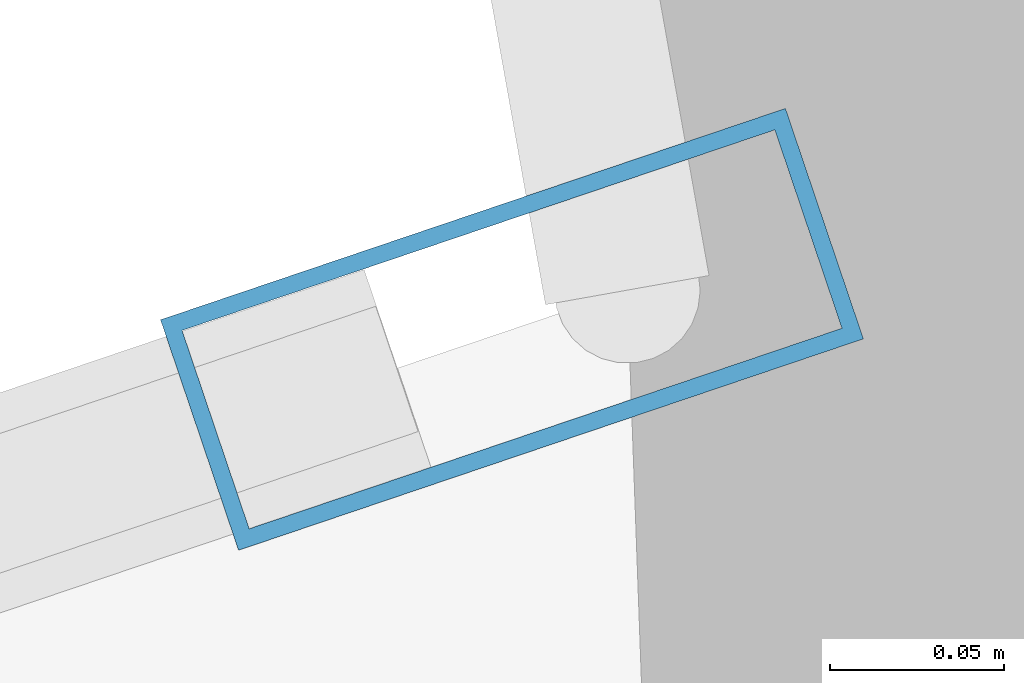
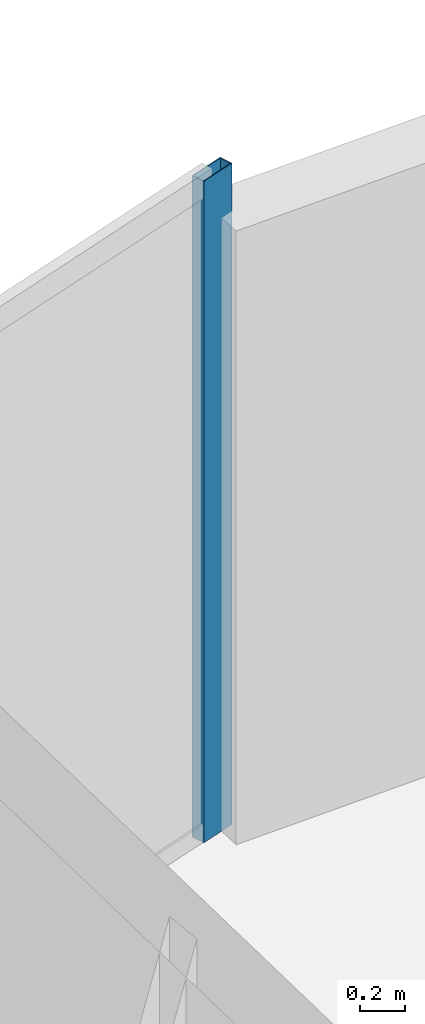
# One storey, part 14 of 23: 1 member, 1 element without a shape of its own.
"""IFC4 building model written with IfcOpenShell, lengths in metres."""

import ifcopenshell
import ifcopenshell.guid

model = None  # the IFC model being written
_history = None  # IfcOwnerHistory: only IFC2X3 demands one
_inside = {}  # id of a spatial element -> (the spatial element, [elements in it])
_under = {}  # id of a project, library or spatial element -> (it, [spatial elements below it])
_declared = {}  # id of a project -> (the project, [libraries it declares])
_typed = {}  # id of a type object -> (the type object, [elements of that type])
_made_of = {}  # id of a material, layer set ... -> (it, [elements and type objects made of it])


def new_model(schema):
    """Start an empty IFC model of exactly this schema.

    Asked for "IFC4X3", IfcOpenShell would pick the latest addendum, in which some entities
    have other attributes; the version numbers below select the first issue.
    IFC2X3 requires an IfcOwnerHistory on every rooted entity: one is made here for all.
    """
    global model, _history
    if schema == "IFC4X3":
        model = ifcopenshell.file(schema_version=(4, 3, 0, 0))
    else:
        model = ifcopenshell.file(schema=schema)
    _inside.clear()
    _under.clear()
    _declared.clear()
    _typed.clear()
    _made_of.clear()
    _history = None
    if model.schema == "IFC2X3":
        org = make("IfcOrganization", Name="unknown")
        user = make(
            "IfcPersonAndOrganization",
            ThePerson=make("IfcPerson", FamilyName="unknown"),
            TheOrganization=org,
        )
        app = make(
            "IfcApplication",
            ApplicationDeveloper=org,
            Version="unknown",
            ApplicationFullName="unknown",
            ApplicationIdentifier="unknown",
        )
        _history = make(
            "IfcOwnerHistory",
            OwningUser=user,
            OwningApplication=app,
            ChangeAction="ADDED",
            CreationDate=0,
        )
    return model


def make(cls, **values):
    """One entity of the class cls with the attributes given. An attribute that is None is left unset."""
    return model.create_entity(
        cls, **{name: value for name, value in values.items() if value is not None}
    )


def rooted(cls, **values):
    """An entity with a GlobalId (a new one), such as an element, a storey or a relation."""
    return make(cls, GlobalId=ifcopenshell.guid.new(), OwnerHistory=_history, **values)


def si_unit(unit_type, name, prefix=None):
    """IfcSIUnit, for example si_unit("LENGTHUNIT", "METRE", prefix="MILLI")."""
    return make("IfcSIUnit", UnitType=unit_type, Prefix=prefix, Name=name)


def assignment(units):
    """IfcUnitAssignment: the units of a project."""
    return None if units is None else make("IfcUnitAssignment", Units=units)


def point(xyz):
    """IfcCartesianPoint."""
    return None if xyz is None else make("IfcCartesianPoint", Coordinates=xyz)


def direction(xyz):
    """IfcDirection."""
    return None if xyz is None else make("IfcDirection", DirectionRatios=xyz)


def frame(location, z_axis=None, x_axis=None):
    """IfcAxis2Placement3D, a coordinate frame: its origin and axes. An axis left out is left unset."""
    return make(
        "IfcAxis2Placement3D",
        Location=point(location),
        Axis=direction(z_axis),
        RefDirection=direction(x_axis),
    )


def frame_2d(location, x_axis=None):
    """IfcAxis2Placement2D, a coordinate frame in the plane: its origin and x axis."""
    return make(
        "IfcAxis2Placement2D", Location=point(location), RefDirection=direction(x_axis)
    )


def origin():
    """The frame at (0, 0, 0) with its axes left unset."""
    return frame((0.0, 0.0, 0.0))


def origin_2d():
    """The frame at (0, 0) in the plane with its x axis left unset."""
    return frame_2d((0.0, 0.0))


def place(relative_to, where):
    """IfcLocalPlacement: puts the frame where relative to a parent placement (None: the world)."""
    return make(
        "IfcLocalPlacement", PlacementRelTo=relative_to, RelativePlacement=where
    )


def context(
    kind, dimensions, precision=None, world=None, true_north=None, identifier=None
):
    """IfcGeometricRepresentationContext, for example the 3D "Model" context."""
    return make(
        "IfcGeometricRepresentationContext",
        ContextIdentifier=identifier,
        ContextType=kind,
        CoordinateSpaceDimension=dimensions,
        Precision=precision,
        WorldCoordinateSystem=world,
        TrueNorth=true_north,
    )


def subcontext(parent, identifier, kind, view, scale=None):
    """IfcGeometricRepresentationSubContext, for example "Body" below "Model"."""
    return make(
        "IfcGeometricRepresentationSubContext",
        ContextIdentifier=identifier,
        ContextType=kind,
        ParentContext=parent,
        TargetScale=scale,
        TargetView=view,
    )


def project(units=None, contexts=None):
    """IfcProject with its units and contexts."""
    return rooted(
        "IfcProject",
        Name="project",
        RepresentationContexts=contexts,
        UnitsInContext=assignment(units),
    )


def spatial(cls, under=None, at=None, **own):
    """A site, building, storey or space (cls), placed at a placement, below another one or the project."""
    s = rooted(cls, ObjectPlacement=at, **own)
    if under is not None:
        _under.setdefault(under.id(), (under, []))[1].append(s)
    return s


def profile(cls, at=None, kind="AREA", **sizes):
    """A parametric profile (cls). Its sizes go by their IFC names, for example OverallWidth=200.0."""
    return make(cls, ProfileType=kind, Position=at, **sizes)


def hollow_rectangle(**sizes):
    """IfcRectangleHollowProfileDef."""
    return profile("IfcRectangleHollowProfileDef", **sizes)


def extrude(swept, where, along, depth):
    """IfcExtrudedAreaSolid: the profile swept, set in the frame where, extruded along a direction by depth."""
    return make(
        "IfcExtrudedAreaSolid",
        SweptArea=swept,
        Position=where,
        ExtrudedDirection=direction(along),
        Depth=depth,
    )


def shape(context_of_items, identifier, shape_type, items):
    """IfcShapeRepresentation: the items that make up one representation, for example the "Body"."""
    return make(
        "IfcShapeRepresentation",
        ContextOfItems=context_of_items,
        RepresentationIdentifier=identifier,
        RepresentationType=shape_type,
        Items=items,
    )


def source(mapping_origin, context_of_items, identifier, shape_type, items):
    """IfcRepresentationMap: a shape defined once, which mapped items show again and again."""
    return make(
        "IfcRepresentationMap",
        MappingOrigin=mapping_origin,
        MappedRepresentation=shape(context_of_items, identifier, shape_type, items),
    )


def transform(
    local_origin,
    x_axis=None,
    y_axis=None,
    z_axis=None,
    scale=None,
    scale2=None,
    scale3=None,
    uniform=True,
):
    """IfcCartesianTransformationOperator3D, or its non-uniform kind. x_axis, y_axis, z_axis: its Axis1, 2, 3."""
    if uniform:
        return make(
            "IfcCartesianTransformationOperator3D",
            Axis1=direction(x_axis),
            Axis2=direction(y_axis),
            LocalOrigin=point(local_origin),
            Scale=scale,
            Axis3=direction(z_axis),
        )
    return make(
        "IfcCartesianTransformationOperator3DnonUniform",
        Axis1=direction(x_axis),
        Axis2=direction(y_axis),
        LocalOrigin=point(local_origin),
        Scale=scale,
        Axis3=direction(z_axis),
        Scale2=scale2,
        Scale3=scale3,
    )


def mapped(mapping_source, mapping_target):
    """IfcMappedItem: shows the shape of a source again, moved by a transform."""
    return make(
        "IfcMappedItem", MappingSource=mapping_source, MappingTarget=mapping_target
    )


def material(Name=None, Category=None):
    """IfcMaterial."""
    return make("IfcMaterial", Name=Name, Category=Category)


def layer(
    of_material, thickness, ventilated=None, Name=None, Category=None, Priority=None
):
    """IfcMaterialLayer: one layer of a wall or slab, of a material (None: an air gap)."""
    return make(
        "IfcMaterialLayer",
        Material=of_material,
        LayerThickness=thickness,
        IsVentilated=ventilated,
        Name=Name,
        Category=Category,
        Priority=Priority,
    )


def layer_set(layers, Name=None):
    """IfcMaterialLayerSet."""
    return make("IfcMaterialLayerSet", MaterialLayers=layers, LayerSetName=Name)


def material_profile(
    of_material, cross_section, Name=None, Category=None, Priority=None
):
    """IfcMaterialProfile: a cross section and its material."""
    return make(
        "IfcMaterialProfile",
        Name=Name,
        Material=of_material,
        Profile=cross_section,
        Priority=Priority,
        Category=Category,
    )


def profile_set(profiles, Name=None, composite=None):
    """IfcMaterialProfileSet."""
    return make(
        "IfcMaterialProfileSet",
        Name=Name,
        MaterialProfiles=profiles,
        CompositeProfile=composite,
    )


def made_of(thing, what):
    """Note that an element or type object is made of a material, layer set ...; save() writes the relation."""
    if what is not None:
        _made_of.setdefault(what.id(), (what, []))[1].append(thing)
    return thing


def type_object(cls, material=None, **own):
    """A type object (cls), such as IfcWallType, which elements share."""
    return made_of(rooted(cls, **own), material)


def element(
    cls,
    number,
    at=None,
    inside=None,
    cuts=None,
    type_object=None,
    material=None,
    context=None,
    identifier="Body",
    shape_type=None,
    held_by="IfcProductDefinitionShape",
    body=None,
    shapes=None,
    **own,
):
    """One element of the class cls, such as IfcWall. Its Tag is "e" and its number.

    at: its placement. inside: the storey or other place that contains it. cuts: it is an
    opening in that element (IfcRelVoidsElement). A single representation is given by context,
    identifier, shape_type and body (its items); several are given by shapes. held_by: the class
    of the entity that holds the representations. save() writes the other relations.
    """
    e = rooted(cls, Tag="e%d" % number, ObjectPlacement=at, **own)
    if body is not None:
        shapes = [shape(context, identifier, shape_type, body)]
    if shapes is not None:
        e.Representation = make(held_by, Representations=shapes)
    if inside is not None:
        _inside.setdefault(inside.id(), (inside, []))[1].append(e)
    if cuts is not None:
        rooted(
            "IfcRelVoidsElement", RelatingBuildingElement=cuts, RelatedOpeningElement=e
        )
    if type_object is not None:
        _typed.setdefault(type_object.id(), (type_object, []))[1].append(e)
    return made_of(e, material)


def aggregate(whole, parts):
    """IfcRelAggregates: a whole, such as a stair, and the parts it consists of."""
    return rooted("IfcRelAggregates", RelatingObject=whole, RelatedObjects=parts)


def save(model, path):
    """Write the relations noted so far, then the file.

    IfcRelAggregates (storeys below a building ...), IfcRelContainedInSpatialStructure (elements
    in a storey), IfcRelDefinesByType, IfcRelAssociatesMaterial and IfcRelDeclares: one each for
    every whole, place, type object, material and project.
    """
    for whole, parts in _under.values():
        aggregate(whole, parts)
    for where, things in _inside.values():
        rooted(
            "IfcRelContainedInSpatialStructure",
            RelatedElements=things,
            RelatingStructure=where,
        )
    for kind, things in _typed.values():
        rooted("IfcRelDefinesByType", RelatedObjects=things, RelatingType=kind)
    for what, things in _made_of.values():
        rooted("IfcRelAssociatesMaterial", RelatedObjects=things, RelatingMaterial=what)
    for by, libraries in _declared.values():
        rooted("IfcRelDeclares", RelatingContext=by, RelatedDefinitions=libraries)
    model.write(path)


model = new_model("IFC4")

# Units and contexts
model_context = context("Model", 3, precision=1e-05, world=origin(), true_north=direction((0.0, 1.0)))
body_context = subcontext(model_context, "Body", "Model", "MODEL_VIEW")
ifc_project = project(units=[si_unit("LENGTHUNIT", "METRE"), si_unit("AREAUNIT", "SQUARE_METRE"), si_unit("VOLUMEUNIT", "CUBIC_METRE"), si_unit("PLANEANGLEUNIT", "RADIAN"), si_unit("MASSUNIT", "GRAM", prefix="KILO")], contexts=[model_context])

# Site, building, storey
site_placement = place(None, origin())
site = spatial("IfcSite", under=ifc_project, at=site_placement, CompositionType="ELEMENT")
building_placement = place(site_placement, origin())
building = spatial("IfcBuilding", under=site, at=building_placement, Name="Solvirekh Grand Hotel", CompositionType="ELEMENT")
storey_placement = place(building_placement, frame((0.0, 0.0, 75.199951171875)))
storey = spatial("IfcBuildingStorey", under=building, at=storey_placement, Name="L18", CompositionType="ELEMENT", Elevation=75.199951171875)

# Curtain wall, member
ifc_material = material(Name="Anodized Bronze Aluminium 6063-T6", Category="aluminium")
ifc_layer = layer(ifc_material, 0.18994140625)
ifc_layer_set = layer_set([ifc_layer], Name="Anodized Bronze Aluminium 6063-T6")
curtain_wall_type = type_object("IfcCurtainWallType", Name="CW_Sys2_LowZoneFlushBronzeCW", PredefinedType="NOTDEFINED", material=ifc_layer_set)
curtain_wall_placement = place(storey_placement, origin())
curtain_wall = element("IfcCurtainWall", 1, at=curtain_wall_placement, inside=storey, type_object=curtain_wall_type, Name="L18 unitised bronze-glass curtain wall CW-L18-C08", PredefinedType="NOTDEFINED")
ifc_material_profile = material_profile(ifc_material, hollow_rectangle(XDim=0.070068359375, YDim=0.18994140625, WallThickness=0.0048828125, at=origin_2d()), Name="ALU RHS 190X70X5")
ifc_profile_set = profile_set([ifc_material_profile], Name="Anodized Bronze Aluminium 6063-T6")
member_type = type_object("IfcMemberType", Name="CWMullion_Sys2", PredefinedType="MULLION", material=ifc_profile_set)
shared_shape = source(origin(), body_context, "Body", "SweptSolid", [
    extrude(hollow_rectangle(XDim=0.070068359375, YDim=0.18994140625, WallThickness=0.0048828125, at=origin_2d()), origin(), (0.0, 0.0, 1.0), 3.60009765625),
])
member_placement = place(storey_placement, frame((-9.8232421875, 22.21484375, 0.0), z_axis=(0.0, 0.0, 1.0), x_axis=(0.320468965331, -0.947259015402, 0.0)))
member = element("IfcMember", 2, at=member_placement, type_object=member_type, Name="U02 mullion 1", PredefinedType="MULLION", context=body_context, shape_type="MappedRepresentation", body=[
    mapped(shared_shape, transform((0.0, 0.0, 0.0), x_axis=(1.0, 0.0, 0.0), y_axis=(0.0, 1.0, 0.0), z_axis=(0.0, 0.0, 1.0), scale=1.0)),
])
aggregate(curtain_wall, [member])

save(model, "model.ifc")
